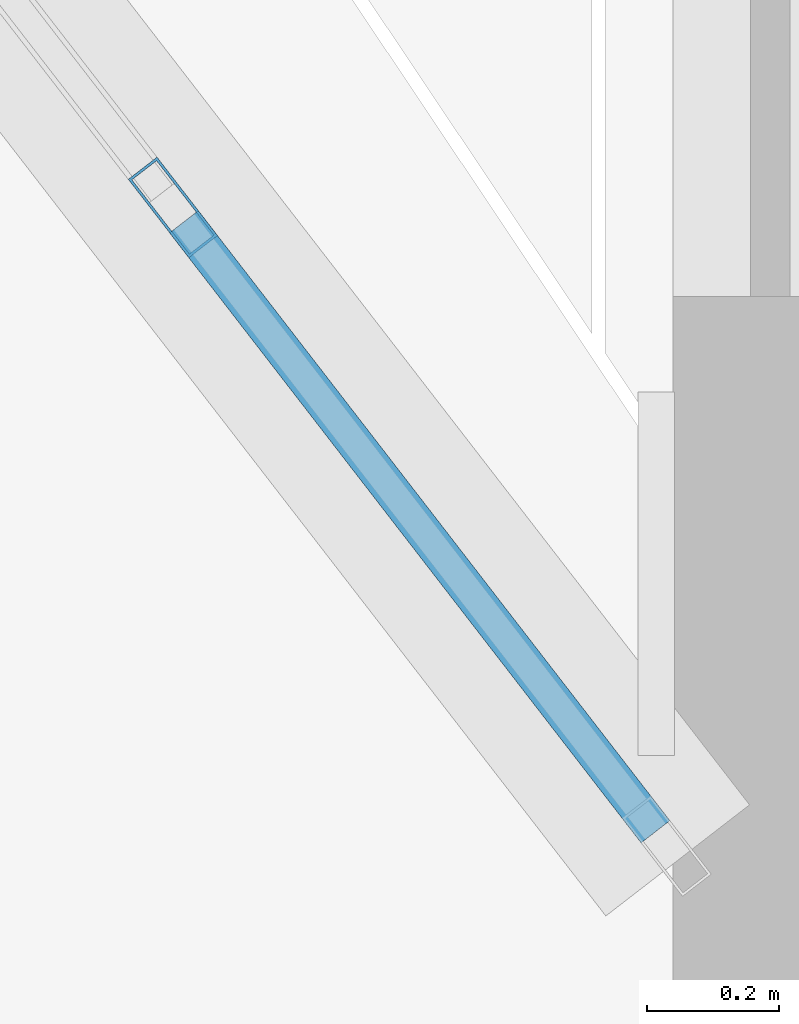
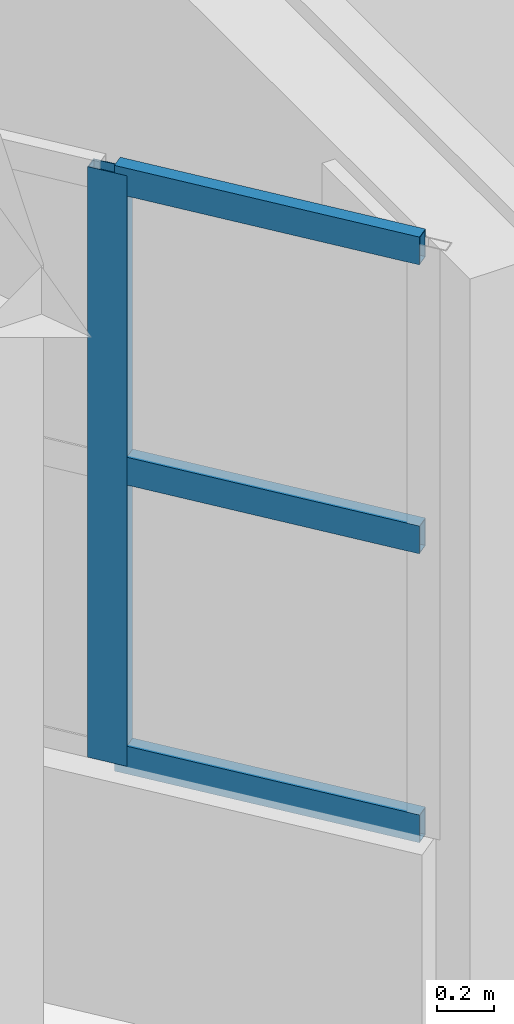
# One storey, part 25 of 46: 4 members, 1 element without a shape of its own.
"""IFC4 building model written with IfcOpenShell, lengths in metres."""

from ifc_helpers import new_model, si_unit, direction, frame, origin, origin_2d, place, context, subcontext, project, spatial, hollow_rectangle, extrude, material, layer, layer_set, material_profile, profile_set, type_object, element, aggregate, save


model = new_model("IFC4")

# Units and contexts
model_context = context("Model", 3, precision=1e-05, world=origin(), true_north=direction((0.0, 1.0)))
body_context = subcontext(model_context, "Body", "Model", "MODEL_VIEW")
ifc_project = project(units=[si_unit("LENGTHUNIT", "METRE"), si_unit("AREAUNIT", "SQUARE_METRE"), si_unit("VOLUMEUNIT", "CUBIC_METRE"), si_unit("PLANEANGLEUNIT", "RADIAN"), si_unit("MASSUNIT", "GRAM", prefix="KILO")], contexts=[model_context])

# Site, building, storey
site_placement = place(None, origin())
site = spatial("IfcSite", under=ifc_project, at=site_placement, CompositionType="ELEMENT")
building_placement = place(site_placement, origin())
building = spatial("IfcBuilding", under=site, at=building_placement, Name="Pelvatis Terrace Science Centre", CompositionType="ELEMENT")
storey_placement = place(building_placement, frame((0.0, 0.0, 19.800048828125)))
storey = spatial("IfcBuildingStorey", under=building, at=storey_placement, Name="L04", CompositionType="ELEMENT", Elevation=19.800048828125)

# Curtain wall, members
ifc_material_1 = material(Name="Bronze-anodised aluminium and laminated glass", Category="aluminium")
ifc_layer = layer(ifc_material_1, 0.14990234375)
ifc_layer_set = layer_set([ifc_layer], Name="Bronze-anodised aluminium and laminated glass")
curtain_wall_type = type_object("IfcCurtainWallType", Name="CW-PASSAGE-C", PredefinedType="NOTDEFINED", material=ifc_layer_set)
curtain_wall_placement = place(storey_placement, origin())
curtain_wall = element("IfcCurtainWall", 1, at=curtain_wall_placement, inside=storey, type_object=curtain_wall_type, Name="Ribbon curtain wall CW-213 (L04)", PredefinedType="NOTDEFINED")
ifc_material_2 = material(Name="Bronze-anodised aluminium 6063-T6", Category="aluminium")
ifc_material_profile_1 = material_profile(ifc_material_2, hollow_rectangle(XDim=0.054931640625, YDim=0.14990234375, WallThickness=0.00390625, at=origin_2d()), Name="ALU-MUL 55x150")
ifc_profile_set_1 = profile_set([ifc_material_profile_1], Name="Bronze-anodised aluminium 6063-T6")
member_type_1 = type_object("IfcMemberType", Name="CWM-55x150", PredefinedType="MULLION", material=ifc_profile_set_1)
member_1_placement = place(storey_placement, frame((131.946044921875, 94.634765625, 1.02001953125), z_axis=(0.0, 0.0, 1.0), x_axis=(-0.791180678019, -0.611582483994, 0.0)))
member_1 = element("IfcMember", 2, at=member_1_placement, type_object=member_type_1, Name="CW-213 mullion 2", PredefinedType="MULLION", context=body_context, shape_type="SweptSolid", body=[
    extrude(hollow_rectangle(XDim=0.054931640625, YDim=0.14990234375, WallThickness=0.00390625, at=origin_2d()), origin(), (0.0, 0.0, 1.0), 2.550048828125),
])
ifc_material_3 = material(Name="Bronze-anodised aluminium 6063-T6", Category="aluminium")
ifc_material_profile_2 = material_profile(ifc_material_3, hollow_rectangle(XDim=0.054931640625, YDim=0.1201171875, WallThickness=0.00341796875, at=origin_2d()), Name="ALU-TRN 55x120")
ifc_profile_set_2 = profile_set([ifc_material_profile_2], Name="Bronze-anodised aluminium 6063-T6")
member_type_2 = type_object("IfcMemberType", Name="CWT-55x120", PredefinedType="USERDEFINED", material=ifc_profile_set_2)
member_2_placement = place(storey_placement, frame((132.67626953125, 93.68994140625, 1.04736328125), z_axis=(-0.611620187246, 0.791151531979, 0.0), x_axis=(-0.791151531979, -0.611620187246, 0.0)))
member_2 = element("IfcMember", 3, at=member_2_placement, type_object=member_type_2, Name="CW-213 transom 1.1", ObjectType="TRANSOM", PredefinedType="USERDEFINED", context=body_context, shape_type="SweptSolid", body=[
    extrude(hollow_rectangle(XDim=0.054931640625, YDim=0.1201171875, WallThickness=0.00341796875, at=origin_2d()), origin(), (0.0, 0.0, 1.0), 1.166748046875),
])
member_3_placement = place(storey_placement, frame((132.67626953125, 93.68994140625, 2.294921875), z_axis=(-0.611620187246, 0.791151531979, 0.0), x_axis=(-0.791151531979, -0.611620187246, 0.0)))
member_3 = element("IfcMember", 4, at=member_3_placement, type_object=member_type_2, Name="CW-213 transom 1.2", ObjectType="TRANSOM", PredefinedType="USERDEFINED", context=body_context, shape_type="SweptSolid", body=[
    extrude(hollow_rectangle(XDim=0.054931640625, YDim=0.1201171875, WallThickness=0.00341796875, at=origin_2d()), origin(), (0.0, 0.0, 1.0), 1.166748046875),
])
member_4_placement = place(storey_placement, frame((132.67626953125, 93.68994140625, 3.54248046875), z_axis=(-0.611620187246, 0.791151531979, 0.0), x_axis=(-0.791151531979, -0.611620187246, 0.0)))
member_4 = element("IfcMember", 5, at=member_4_placement, type_object=member_type_2, Name="CW-213 transom 1.3", ObjectType="TRANSOM", PredefinedType="USERDEFINED", context=body_context, shape_type="SweptSolid", body=[
    extrude(hollow_rectangle(XDim=0.054931640625, YDim=0.1201171875, WallThickness=0.00341796875, at=origin_2d()), origin(), (0.0, 0.0, 1.0), 1.166748046875),
])
aggregate(curtain_wall, [member_1, member_2, member_3, member_4])

save(model, "model.ifc")
